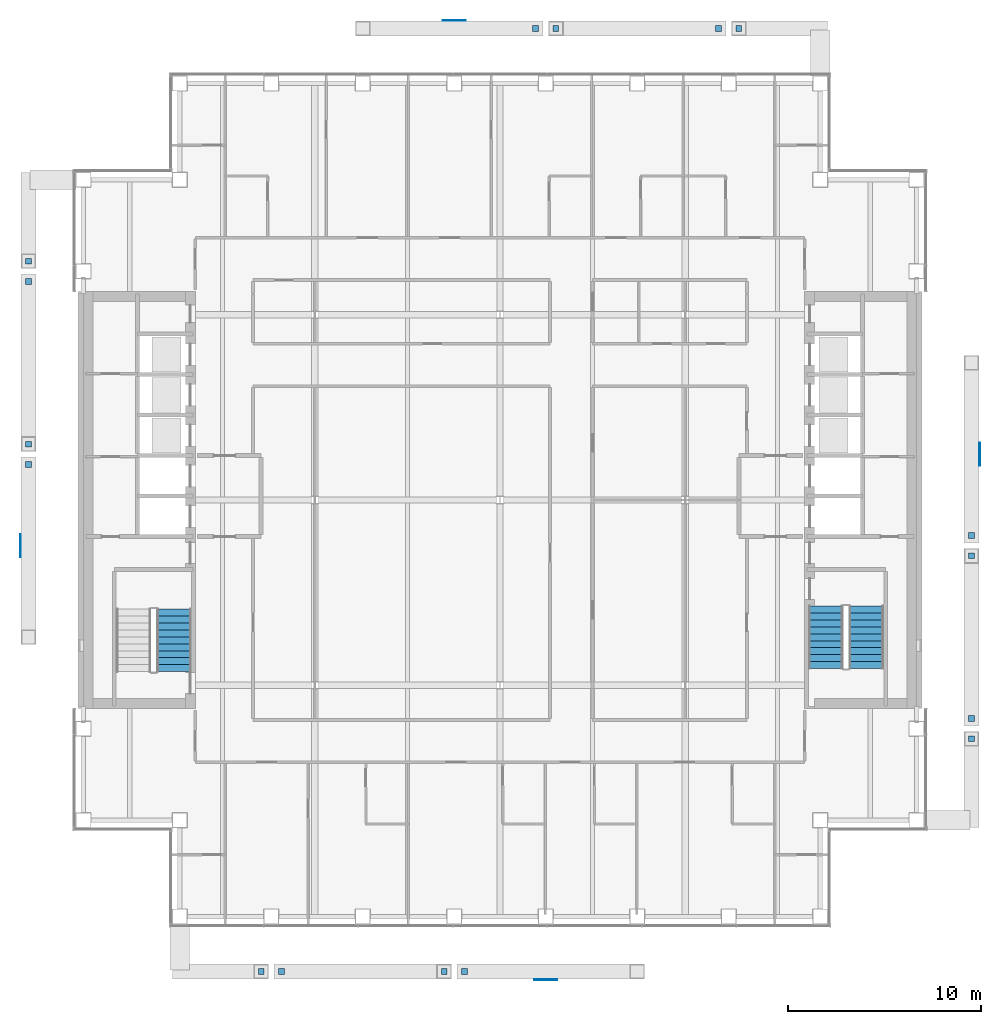
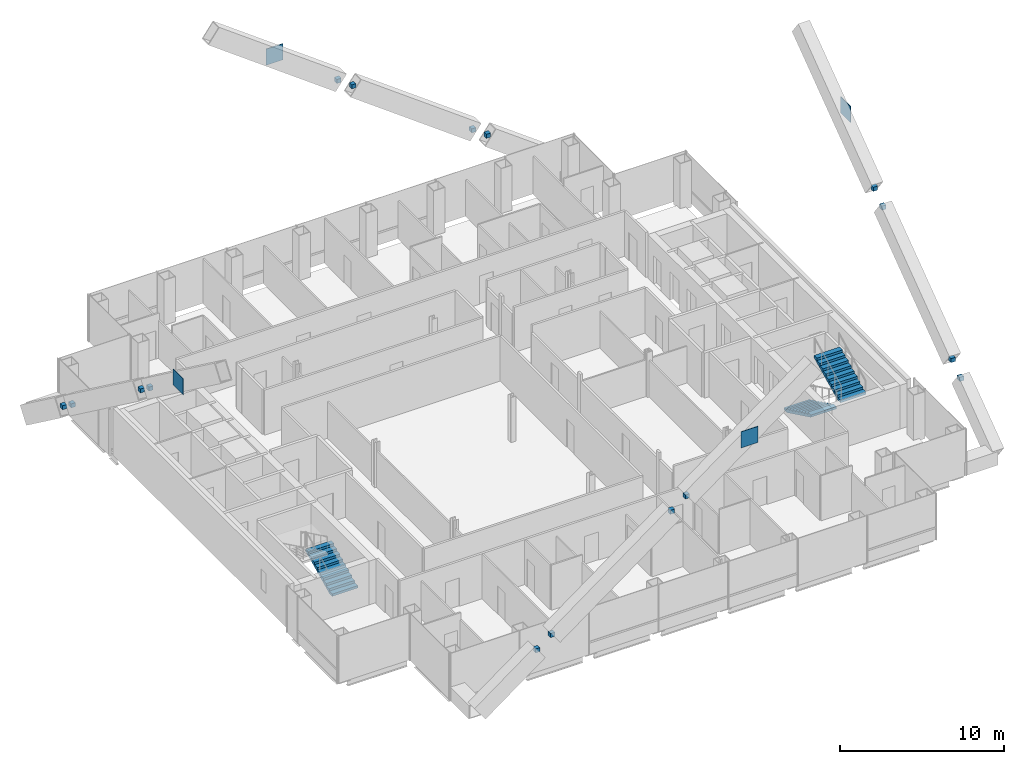
# One storey, part 16 of 18: 20 discrete accessories, 3 stair flights, 2 elements without a shape of their own.
"""IFC4 building model written with IfcOpenShell, lengths in metres."""

import ifcopenshell
import ifcopenshell.guid

model = None  # the IFC model being written
_history = None  # IfcOwnerHistory: only IFC2X3 demands one
_inside = {}  # id of a spatial element -> (the spatial element, [elements in it])
_under = {}  # id of a project, library or spatial element -> (it, [spatial elements below it])
_declared = {}  # id of a project -> (the project, [libraries it declares])
_typed = {}  # id of a type object -> (the type object, [elements of that type])
_made_of = {}  # id of a material, layer set ... -> (it, [elements and type objects made of it])


def new_model(schema):
    """Start an empty IFC model of exactly this schema.

    Asked for "IFC4X3", IfcOpenShell would pick the latest addendum, in which some entities
    have other attributes; the version numbers below select the first issue.
    IFC2X3 requires an IfcOwnerHistory on every rooted entity: one is made here for all.
    """
    global model, _history
    if schema == "IFC4X3":
        model = ifcopenshell.file(schema_version=(4, 3, 0, 0))
    else:
        model = ifcopenshell.file(schema=schema)
    _inside.clear()
    _under.clear()
    _declared.clear()
    _typed.clear()
    _made_of.clear()
    _history = None
    if model.schema == "IFC2X3":
        org = make("IfcOrganization", Name="unknown")
        user = make(
            "IfcPersonAndOrganization",
            ThePerson=make("IfcPerson", FamilyName="unknown"),
            TheOrganization=org,
        )
        app = make(
            "IfcApplication",
            ApplicationDeveloper=org,
            Version="unknown",
            ApplicationFullName="unknown",
            ApplicationIdentifier="unknown",
        )
        _history = make(
            "IfcOwnerHistory",
            OwningUser=user,
            OwningApplication=app,
            ChangeAction="ADDED",
            CreationDate=0,
        )
    return model


def make(cls, **values):
    """One entity of the class cls with the attributes given. An attribute that is None is left unset."""
    return model.create_entity(
        cls, **{name: value for name, value in values.items() if value is not None}
    )


def rooted(cls, **values):
    """An entity with a GlobalId (a new one), such as an element, a storey or a relation."""
    return make(cls, GlobalId=ifcopenshell.guid.new(), OwnerHistory=_history, **values)


def si_unit(unit_type, name, prefix=None):
    """IfcSIUnit, for example si_unit("LENGTHUNIT", "METRE", prefix="MILLI")."""
    return make("IfcSIUnit", UnitType=unit_type, Prefix=prefix, Name=name)


def assignment(units):
    """IfcUnitAssignment: the units of a project."""
    return None if units is None else make("IfcUnitAssignment", Units=units)


def point(xyz):
    """IfcCartesianPoint."""
    return None if xyz is None else make("IfcCartesianPoint", Coordinates=xyz)


def direction(xyz):
    """IfcDirection."""
    return None if xyz is None else make("IfcDirection", DirectionRatios=xyz)


def frame(location, z_axis=None, x_axis=None):
    """IfcAxis2Placement3D, a coordinate frame: its origin and axes. An axis left out is left unset."""
    return make(
        "IfcAxis2Placement3D",
        Location=point(location),
        Axis=direction(z_axis),
        RefDirection=direction(x_axis),
    )


def frame_2d(location, x_axis=None):
    """IfcAxis2Placement2D, a coordinate frame in the plane: its origin and x axis."""
    return make(
        "IfcAxis2Placement2D", Location=point(location), RefDirection=direction(x_axis)
    )


def origin():
    """The frame at (0, 0, 0) with its axes left unset."""
    return frame((0.0, 0.0, 0.0))


def origin_2d():
    """The frame at (0, 0) in the plane with its x axis left unset."""
    return frame_2d((0.0, 0.0))


def place(relative_to, where):
    """IfcLocalPlacement: puts the frame where relative to a parent placement (None: the world)."""
    return make(
        "IfcLocalPlacement", PlacementRelTo=relative_to, RelativePlacement=where
    )


def context(
    kind, dimensions, precision=None, world=None, true_north=None, identifier=None
):
    """IfcGeometricRepresentationContext, for example the 3D "Model" context."""
    return make(
        "IfcGeometricRepresentationContext",
        ContextIdentifier=identifier,
        ContextType=kind,
        CoordinateSpaceDimension=dimensions,
        Precision=precision,
        WorldCoordinateSystem=world,
        TrueNorth=true_north,
    )


def subcontext(parent, identifier, kind, view, scale=None):
    """IfcGeometricRepresentationSubContext, for example "Body" below "Model"."""
    return make(
        "IfcGeometricRepresentationSubContext",
        ContextIdentifier=identifier,
        ContextType=kind,
        ParentContext=parent,
        TargetScale=scale,
        TargetView=view,
    )


def project(units=None, contexts=None):
    """IfcProject with its units and contexts."""
    return rooted(
        "IfcProject",
        Name="project",
        RepresentationContexts=contexts,
        UnitsInContext=assignment(units),
    )


def spatial(cls, under=None, at=None, **own):
    """A site, building, storey or space (cls), placed at a placement, below another one or the project."""
    s = rooted(cls, ObjectPlacement=at, **own)
    if under is not None:
        _under.setdefault(under.id(), (under, []))[1].append(s)
    return s


def polyline(points):
    """IfcPolyline through the points."""
    return make("IfcPolyline", Points=[point(p) for p in points])


def profile(cls, at=None, kind="AREA", **sizes):
    """A parametric profile (cls). Its sizes go by their IFC names, for example OverallWidth=200.0."""
    return make(cls, ProfileType=kind, Position=at, **sizes)


def rectangle(**sizes):
    """IfcRectangleProfileDef."""
    return profile("IfcRectangleProfileDef", **sizes)


def outline(outer, holes=None, kind="AREA"):
    """IfcArbitraryClosedProfileDef: a profile drawn as a closed curve; with holes, ...WithVoids."""
    if holes is None:
        return make("IfcArbitraryClosedProfileDef", ProfileType=kind, OuterCurve=outer)
    return make(
        "IfcArbitraryProfileDefWithVoids",
        ProfileType=kind,
        OuterCurve=outer,
        InnerCurves=holes,
    )


def extrude(swept, where, along, depth):
    """IfcExtrudedAreaSolid: the profile swept, set in the frame where, extruded along a direction by depth."""
    return make(
        "IfcExtrudedAreaSolid",
        SweptArea=swept,
        Position=where,
        ExtrudedDirection=direction(along),
        Depth=depth,
    )


def shape(context_of_items, identifier, shape_type, items):
    """IfcShapeRepresentation: the items that make up one representation, for example the "Body"."""
    return make(
        "IfcShapeRepresentation",
        ContextOfItems=context_of_items,
        RepresentationIdentifier=identifier,
        RepresentationType=shape_type,
        Items=items,
    )


def material(Name=None, Category=None):
    """IfcMaterial."""
    return make("IfcMaterial", Name=Name, Category=Category)


def made_of(thing, what):
    """Note that an element or type object is made of a material, layer set ...; save() writes the relation."""
    if what is not None:
        _made_of.setdefault(what.id(), (what, []))[1].append(thing)
    return thing


def type_object(cls, material=None, **own):
    """A type object (cls), such as IfcWallType, which elements share."""
    return made_of(rooted(cls, **own), material)


def element(
    cls,
    number,
    at=None,
    inside=None,
    cuts=None,
    type_object=None,
    material=None,
    context=None,
    identifier="Body",
    shape_type=None,
    held_by="IfcProductDefinitionShape",
    body=None,
    shapes=None,
    **own,
):
    """One element of the class cls, such as IfcWall. Its Tag is "e" and its number.

    at: its placement. inside: the storey or other place that contains it. cuts: it is an
    opening in that element (IfcRelVoidsElement). A single representation is given by context,
    identifier, shape_type and body (its items); several are given by shapes. held_by: the class
    of the entity that holds the representations. save() writes the other relations.
    """
    e = rooted(cls, Tag="e%d" % number, ObjectPlacement=at, **own)
    if body is not None:
        shapes = [shape(context, identifier, shape_type, body)]
    if shapes is not None:
        e.Representation = make(held_by, Representations=shapes)
    if inside is not None:
        _inside.setdefault(inside.id(), (inside, []))[1].append(e)
    if cuts is not None:
        rooted(
            "IfcRelVoidsElement", RelatingBuildingElement=cuts, RelatedOpeningElement=e
        )
    if type_object is not None:
        _typed.setdefault(type_object.id(), (type_object, []))[1].append(e)
    return made_of(e, material)


def aggregate(whole, parts):
    """IfcRelAggregates: a whole, such as a stair, and the parts it consists of."""
    return rooted("IfcRelAggregates", RelatingObject=whole, RelatedObjects=parts)


def save(model, path):
    """Write the relations noted so far, then the file.

    IfcRelAggregates (storeys below a building ...), IfcRelContainedInSpatialStructure (elements
    in a storey), IfcRelDefinesByType, IfcRelAssociatesMaterial and IfcRelDeclares: one each for
    every whole, place, type object, material and project.
    """
    for whole, parts in _under.values():
        aggregate(whole, parts)
    for where, things in _inside.values():
        rooted(
            "IfcRelContainedInSpatialStructure",
            RelatedElements=things,
            RelatingStructure=where,
        )
    for kind, things in _typed.values():
        rooted("IfcRelDefinesByType", RelatedObjects=things, RelatingType=kind)
    for what, things in _made_of.values():
        rooted("IfcRelAssociatesMaterial", RelatedObjects=things, RelatingMaterial=what)
    for by, libraries in _declared.values():
        rooted("IfcRelDeclares", RelatingContext=by, RelatedDefinitions=libraries)
    model.write(path)


model = new_model("IFC4")

# Units and contexts
model_context = context("Model", 3, precision=1e-05, world=origin(), true_north=direction((0.0, 1.0)))
body_context = subcontext(model_context, "Body", "Model", "MODEL_VIEW")
ifc_project = project(units=[si_unit("LENGTHUNIT", "METRE"), si_unit("AREAUNIT", "SQUARE_METRE"), si_unit("VOLUMEUNIT", "CUBIC_METRE"), si_unit("PLANEANGLEUNIT", "RADIAN"), si_unit("MASSUNIT", "GRAM", prefix="KILO")], contexts=[model_context])

# Site, building, storey
site_placement = place(None, origin())
site = spatial("IfcSite", under=ifc_project, at=site_placement, CompositionType="ELEMENT")
building_placement = place(site_placement, origin())
building = spatial("IfcBuilding", under=site, at=building_placement, Name="Cobrizo Arcos Hotel Tower", CompositionType="ELEMENT")
storey_placement = place(building_placement, frame((0.0, 0.0, 158.5)))
storey = spatial("IfcBuildingStorey", under=building, at=storey_placement, Name="L40", CompositionType="ELEMENT", Elevation=158.5)

# Stair, stair flight
ifc_material_1 = material(Name="Concrete f'c 40 MPa", Category="concrete")
stair_type = type_object("IfcStairType", Name="Exit stair", PredefinedType="HALF_TURN_STAIR", material=ifc_material_1)
stair_1_placement = place(storey_placement, origin())
stair_1 = element("IfcStair", 1, at=stair_1_placement, inside=storey, type_object=stair_type, Name="L40 Exit stair ST-W", PredefinedType="HALF_TURN_STAIR")
stair_flight_type = type_object("IfcStairFlightType", Name="Exit stair flight", PredefinedType="STRAIGHT", material=ifc_material_1)
stair_flight_1_placement = place(storey_placement, frame((-16.89990234375, -8.89990234375, 0.0), z_axis=(0.0, 0.0, 1.0), x_axis=(0.0, 1.0, 0.0)))
stair_flight_1 = element("IfcStairFlight", 2, at=stair_flight_1_placement, type_object=stair_flight_type, Name="ST-W flight 1", NumberOfRisers=10, NumberOfTreads=9, PredefinedType="STRAIGHT", RiserHeight=0.175, TreadLength=0.36, context=body_context, shape_type="SweptSolid", body=[
    extrude(outline(polyline([(0.0, 0.0), (0.0, 0.175048828125), (0.360107421875, 0.175048828125), (0.360107421875, 0.35009765625), (0.719970703125, 0.35009765625), (0.719970703125, 0.52490234375), (1.080078125, 0.52490234375), (1.080078125, 0.699951171875), (1.43994140625, 0.699951171875), (1.43994140625, 0.875), (1.800048828125, 0.875), (1.800048828125, 1.050048828125), (2.159912109375, 1.050048828125), (2.159912109375, 1.22509765625), (2.52001953125, 1.22509765625), (2.52001953125, 1.39990234375), (2.8798828125, 1.39990234375), (2.8798828125, 1.574951171875), (3.239990234375, 1.574951171875), (3.239990234375, 1.75), (3.239990234375, 1.408203125), (0.3427734375, 0.0), (0.0, 0.0)])), frame((0.0, 0.89990234375, 0.0), z_axis=(0.0, -1.0, 0.0), x_axis=(1.0, 0.0, 0.0)), (0.0, 0.0, 1.0), 1.800048828125),
])
aggregate(stair_1, [stair_flight_1])

# Stair, stair flights
stair_2_placement = place(storey_placement, origin())
stair_2 = element("IfcStair", 3, at=stair_2_placement, inside=storey, type_object=stair_type, Name="L40 Exit stair ST-E", PredefinedType="HALF_TURN_STAIR")
stair_flight_2_placement = place(storey_placement, frame((16.89990234375, -5.5, 0.0), z_axis=(0.0, 0.0, 1.0), x_axis=(0.0, -1.0, 0.0)))
stair_flight_2 = element("IfcStairFlight", 4, at=stair_flight_2_placement, type_object=stair_flight_type, Name="ST-E flight 1", NumberOfRisers=10, NumberOfTreads=9, PredefinedType="STRAIGHT", RiserHeight=0.175, TreadLength=0.36, context=body_context, shape_type="SweptSolid", body=[
    extrude(outline(polyline([(0.0, 0.0), (0.0, 0.175048828125), (0.360107421875, 0.175048828125), (0.360107421875, 0.35009765625), (0.719970703125, 0.35009765625), (0.719970703125, 0.52490234375), (1.080078125, 0.52490234375), (1.080078125, 0.699951171875), (1.43994140625, 0.699951171875), (1.43994140625, 0.875), (1.800048828125, 0.875), (1.800048828125, 1.050048828125), (2.159912109375, 1.050048828125), (2.159912109375, 1.22509765625), (2.52001953125, 1.22509765625), (2.52001953125, 1.39990234375), (2.8798828125, 1.39990234375), (2.8798828125, 1.574951171875), (3.239990234375, 1.574951171875), (3.239990234375, 1.75), (3.239990234375, 1.408203125), (0.3427734375, 0.0), (0.0, 0.0)])), frame((0.0, 0.89990234375, 0.0), z_axis=(0.0, -1.0, 0.0), x_axis=(1.0, 0.0, 0.0)), (0.0, 0.0, 1.0), 1.800048828125),
])
stair_flight_3_placement = place(storey_placement, frame((19.0, -8.739990234375, 1.75), z_axis=(0.0, 0.0, 1.0), x_axis=(0.0, 1.0, 0.0)))
stair_flight_3 = element("IfcStairFlight", 5, at=stair_flight_3_placement, type_object=stair_flight_type, Name="ST-E flight 2", NumberOfRisers=10, NumberOfTreads=9, PredefinedType="STRAIGHT", RiserHeight=0.175, TreadLength=0.36, context=body_context, shape_type="SweptSolid", body=[
    extrude(outline(polyline([(0.0, 0.0), (0.0, 0.175048828125), (0.360107421875, 0.175048828125), (0.360107421875, 0.35009765625), (0.719970703125, 0.35009765625), (0.719970703125, 0.52490234375), (1.080078125, 0.52490234375), (1.080078125, 0.699951171875), (1.43994140625, 0.699951171875), (1.43994140625, 0.875), (1.800048828125, 0.875), (1.800048828125, 1.050048828125), (2.159912109375, 1.050048828125), (2.159912109375, 1.22509765625), (2.52001953125, 1.22509765625), (2.52001953125, 1.39990234375), (2.8798828125, 1.39990234375), (2.8798828125, 1.574951171875), (3.239990234375, 1.574951171875), (3.239990234375, 1.75), (3.239990234375, 1.408203125), (0.3427734375, 0.0), (0.0, 0.0)])), frame((0.0, 0.89990234375, 0.0), z_axis=(0.0, -1.0, 0.0), x_axis=(1.0, 0.0, 0.0)), (0.0, 0.0, 1.0), 1.800048828125),
])
aggregate(stair_2, [stair_flight_2, stair_flight_3])

# Discrete accessories
ifc_material_2 = material(Name="Steel ASTM A572 Grade 50", Category="steel")
discrete_accessory_type_1 = type_object("IfcDiscreteAccessoryType", Name="GP-1 gusset plate 1200x1200x40", PredefinedType="BRACKET", material=ifc_material_2)
discrete_accessory_1_placement = place(storey_placement, frame((24.8701171875, 2.371337890625, 13.89990234375), z_axis=(0.0, 0.0, 1.0), x_axis=(1.0, 0.0, 0.0)))
element("IfcDiscreteAccessory", 6, at=discrete_accessory_1_placement, inside=storey, type_object=discrete_accessory_type_1, Name="Gusset plate br-Z3-E-08", PredefinedType="BRACKET", context=body_context, shape_type="SweptSolid", body=[
    extrude(rectangle(XDim=0.0400390625, YDim=1.199951171875, at=origin_2d()), origin(), (0.0, 0.0, 1.0), 1.199951171875),
])
for number, where, z_axis, x_axis, name in (
    (7, (-2.371337890625, 24.8701171875, 13.89990234375), (0.0, 0.0, 1.0), (1.0, 0.0, 0.0), "Gusset plate br-Z3-N-08"),
    (8, (2.371337890625, -24.8701171875, 13.89990234375), (0.0, 0.0, 1.0), (1.0, 0.0, 0.0), "Gusset plate br-Z3-S-08"),
):
    element("IfcDiscreteAccessory", number, at=place(storey_placement, frame(where, z_axis=z_axis, x_axis=x_axis)), inside=storey, type_object=discrete_accessory_type_1, Name=name, PredefinedType="BRACKET", context=body_context, shape_type="SweptSolid", body=[
        extrude(rectangle(XDim=1.199951171875, YDim=0.0400390625, at=origin_2d()), origin(), (0.0, 0.0, 1.0), 1.199951171875),
    ])
discrete_accessory_2_placement = place(storey_placement, frame((-24.8701171875, -2.371337890625, 13.89990234375), z_axis=(0.0, 0.0, 1.0), x_axis=(1.0, 0.0, 0.0)))
element("IfcDiscreteAccessory", 9, at=discrete_accessory_2_placement, inside=storey, type_object=discrete_accessory_type_1, Name="Gusset plate br-Z3-W-08", PredefinedType="BRACKET", context=body_context, shape_type="SweptSolid", body=[
    extrude(rectangle(XDim=0.0400390625, YDim=1.199951171875, at=origin_2d()), origin(), (0.0, 0.0, 1.0), 1.199951171875),
])
discrete_accessory_type_2 = type_object("IfcDiscreteAccessoryType", Name="GP-5 brace end plate 300x300x300", PredefinedType="BRACKET", material=ifc_material_2)
for number, where, z_axis, x_axis, name in (
    (10, (24.449951171875, -12.38037109375, 3.4638671875), (0.0, 0.0, 1.0), (1.0, 0.0, 0.0), "Brace end plate"),
    (11, (24.449951171875, -11.333984375, 4.23583984375), (0.0, 0.0, 1.0), (1.0, 0.0, 0.0), "Brace end plate"),
    (12, (24.449951171875, -2.89453125, 10.4638671875), (0.0, 0.0, 1.0), (1.0, 0.0, 0.0), "Brace end plate"),
    (13, (24.449951171875, -1.84814453125, 11.23583984375), (0.0, 0.0, 1.0), (1.0, 0.0, 0.0), "Brace end plate"),
    (14, (12.38037109375, 24.449951171875, 3.4638671875), (0.0, 0.0, 1.0), (1.0, 0.0, 0.0), "Brace end plate"),
    (15, (11.333984375, 24.449951171875, 4.23583984375), (0.0, 0.0, 1.0), (1.0, 0.0, 0.0), "Brace end plate"),
    (16, (2.89453125, 24.449951171875, 10.4638671875), (0.0, 0.0, 1.0), (1.0, 0.0, 0.0), "Brace end plate"),
    (17, (1.84814453125, 24.449951171875, 11.23583984375), (0.0, 0.0, 1.0), (1.0, 0.0, 0.0), "Brace end plate"),
    (18, (-12.38037109375, -24.449951171875, 3.4638671875), (0.0, 0.0, 1.0), (1.0, 0.0, 0.0), "Brace end plate"),
    (19, (-11.333984375, -24.449951171875, 4.23583984375), (0.0, 0.0, 1.0), (1.0, 0.0, 0.0), "Brace end plate"),
    (20, (-2.89453125, -24.449951171875, 10.4638671875), (0.0, 0.0, 1.0), (1.0, 0.0, 0.0), "Brace end plate"),
    (21, (-1.84814453125, -24.449951171875, 11.23583984375), (0.0, 0.0, 1.0), (1.0, 0.0, 0.0), "Brace end plate"),
    (22, (-24.449951171875, 12.38037109375, 3.4638671875), (0.0, 0.0, 1.0), (1.0, 0.0, 0.0), "Brace end plate"),
    (23, (-24.449951171875, 11.333984375, 4.23583984375), (0.0, 0.0, 1.0), (1.0, 0.0, 0.0), "Brace end plate"),
    (24, (-24.449951171875, 2.89453125, 10.4638671875), (0.0, 0.0, 1.0), (1.0, 0.0, 0.0), "Brace end plate"),
    (25, (-24.449951171875, 1.84814453125, 11.23583984375), (0.0, 0.0, 1.0), (1.0, 0.0, 0.0), "Brace end plate"),
):
    element("IfcDiscreteAccessory", number, at=place(storey_placement, frame(where, z_axis=z_axis, x_axis=x_axis)), inside=storey, type_object=discrete_accessory_type_2, Name=name, PredefinedType="BRACKET", context=body_context, shape_type="SweptSolid", body=[
        extrude(rectangle(XDim=0.300048828125, YDim=0.300048828125, at=origin_2d()), origin(), (0.0, 0.0, 1.0), 0.300048828125),
    ])

save(model, "model.ifc")
